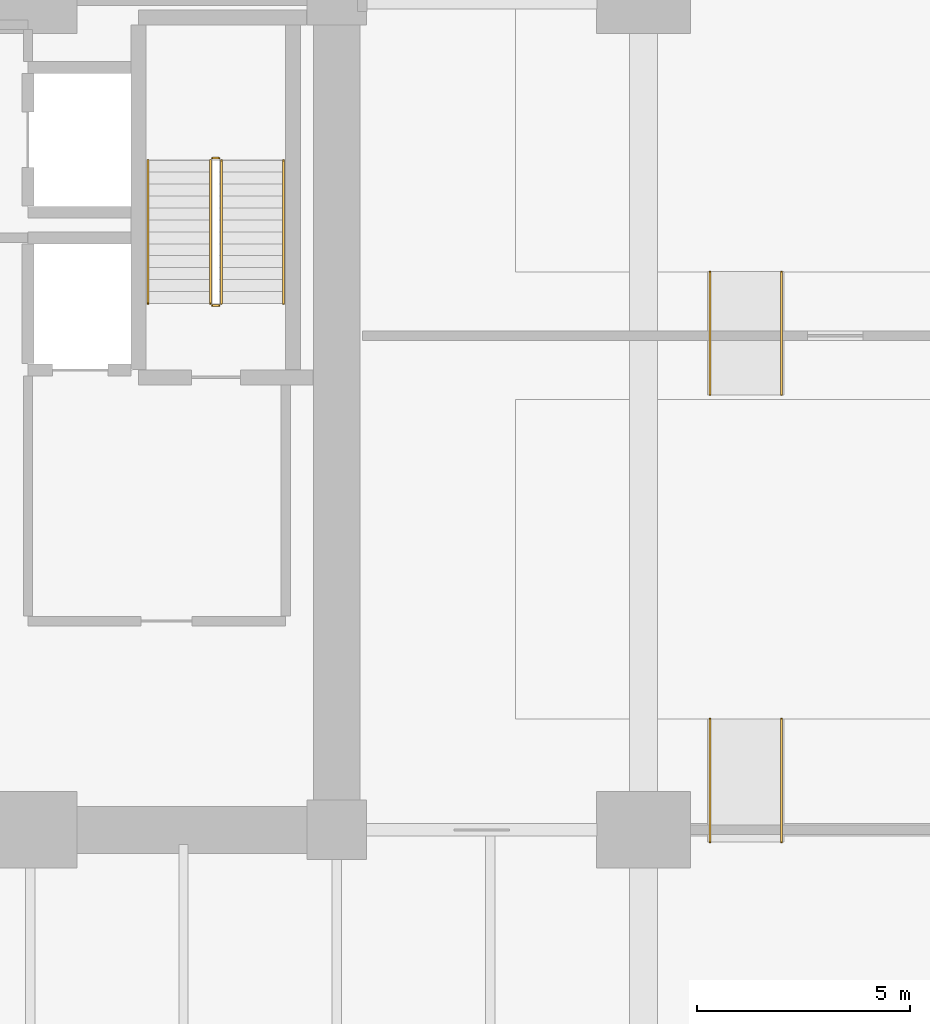
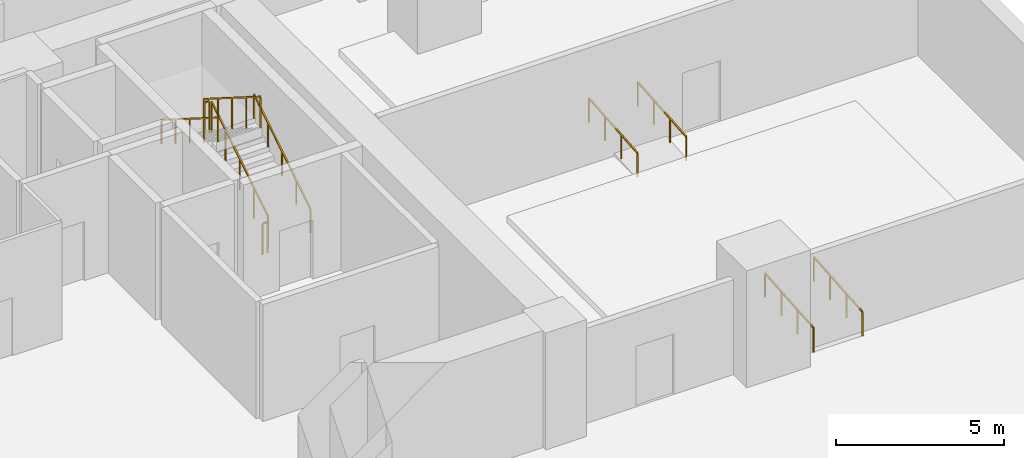
# One storey, part 9 of 9: 10 railings.
"""IFC4 building model written with IfcOpenShell, lengths in metres."""

from ifc_helpers import new_model, si_unit, direction, frame, origin, origin_2d, place, context, subcontext, project, spatial, rectangle, extrude, material, type_object, element, save


model = new_model("IFC4")

# Units and contexts
model_context = context("Model", 3, precision=1e-05, world=origin(), true_north=direction((0.0, 1.0)))
body_context = subcontext(model_context, "Body", "Model", "MODEL_VIEW")
ifc_project = project(units=[si_unit("LENGTHUNIT", "METRE"), si_unit("AREAUNIT", "SQUARE_METRE"), si_unit("VOLUMEUNIT", "CUBIC_METRE"), si_unit("PLANEANGLEUNIT", "RADIAN"), si_unit("MASSUNIT", "GRAM", prefix="KILO")], contexts=[model_context])

# Site, building, storey
site_placement = place(None, origin())
site = spatial("IfcSite", under=ifc_project, at=site_placement, CompositionType="ELEMENT")
building_placement = place(site_placement, origin())
building = spatial("IfcBuilding", under=site, at=building_placement, Name="Kaelvorn Grand Hotel", CompositionType="ELEMENT")
storey_placement = place(building_placement, frame((0.0, 0.0, -4.60009765625)))
storey = spatial("IfcBuildingStorey", under=building, at=storey_placement, Name="B01", CompositionType="ELEMENT", Elevation=-4.60009765625)

# Railings
ifc_material = material(Name="Stainless Steel", Category="steel")
railing_type_1 = type_object("IfcRailingType", Name="RL-HANDRAIL-900", PredefinedType="HANDRAIL", material=ifc_material)
railing_1_placement = place(storey_placement, frame((66.550048828125, 41.760009765625, 0.177001953125)))
element("IfcRailing", 1, at=railing_1_placement, inside=storey, type_object=railing_type_1, Name="B01 ST3 stair handrail 1", PredefinedType="HANDRAIL", context=body_context, shape_type="SweptSolid", body=[
    extrude(rectangle(XDim=0.048095703125, YDim=0.048095703125, at=origin_2d()), frame((0.0, 0.0, 0.8759765625), z_axis=(0.0, 0.845389635667, 0.534150132366), x_axis=(-1.0, 0.0, 0.0)), (0.0, 0.0, 1.0), 3.974609375),
    extrude(rectangle(XDim=0.0419921875, YDim=0.0419921875, at=origin_2d()), origin(), (0.0, 0.0, 1.0), 0.851806640625),
    extrude(rectangle(XDim=0.0419921875, YDim=0.0419921875, at=origin_2d()), frame((0.0, 0.840087890625, 0.53076171875)), (0.0, 0.0, 1.0), 0.851806640625),
    extrude(rectangle(XDim=0.0419921875, YDim=0.0419921875, at=origin_2d()), frame((0.0, 1.68017578125, 1.0615234375)), (0.0, 0.0, 1.0), 0.851806640625),
    extrude(rectangle(XDim=0.0419921875, YDim=0.0419921875, at=origin_2d()), frame((0.0, 2.52001953125, 1.59228515625)), (0.0, 0.0, 1.0), 0.851806640625),
    extrude(rectangle(XDim=0.0419921875, YDim=0.0419921875, at=origin_2d()), frame((0.0, 3.360107421875, 2.123046875)), (0.0, 0.0, 1.0), 0.851806640625),
])
railing_2_placement = place(storey_placement, frame((63.3701171875, 45.1201171875, 2.47705078125)))
element("IfcRailing", 2, at=railing_2_placement, inside=storey, type_object=railing_type_1, Name="B01 ST3 stair handrail 2", PredefinedType="HANDRAIL", context=body_context, shape_type="SweptSolid", body=[
    extrude(rectangle(XDim=0.048095703125, YDim=0.048095703125, at=origin_2d()), frame((0.0, 0.0, 0.8759765625), z_axis=(0.0, -0.845389635667, 0.534150132366), x_axis=(1.0, 0.0, 0.0)), (0.0, 0.0, 1.0), 3.974609375),
    extrude(rectangle(XDim=0.0419921875, YDim=0.0419921875, at=origin_2d()), origin(), (0.0, 0.0, 1.0), 0.851806640625),
    extrude(rectangle(XDim=0.0419921875, YDim=0.0419921875, at=origin_2d()), frame((0.0, -0.840087890625, 0.53076171875)), (0.0, 0.0, 1.0), 0.851806640625),
    extrude(rectangle(XDim=0.0419921875, YDim=0.0419921875, at=origin_2d()), frame((0.0, -1.68017578125, 1.0615234375)), (0.0, 0.0, 1.0), 0.851806640625),
    extrude(rectangle(XDim=0.0419921875, YDim=0.0419921875, at=origin_2d()), frame((0.0, -2.52001953125, 1.59228515625)), (0.0, 0.0, 1.0), 0.851806640625),
    extrude(rectangle(XDim=0.0419921875, YDim=0.0419921875, at=origin_2d()), frame((0.0, -3.360107421875, 2.123046875)), (0.0, 0.0, 1.0), 0.851806640625),
])
for number, where, name in (
    (3, (76.56005859375, 29.114990234375, 0.0), "B01 Accessible Ramp AR3 Handrail 1"),
    (4, (78.239990234375, 29.114990234375, 0.0), "B01 Accessible Ramp AR3 Handrail 2"),
    (5, (76.56005859375, 39.614990234375, 0.0), "B01 Accessible Ramp AR4 Handrail 1"),
    (6, (78.239990234375, 39.614990234375, 0.0), "B01 Accessible Ramp AR4 Handrail 2"),
):
    element("IfcRailing", number, at=place(storey_placement, frame(where)), inside=storey, type_object=railing_type_1, Name=name, PredefinedType="HANDRAIL", context=body_context, shape_type="SweptSolid", body=[
        extrude(rectangle(XDim=0.048095703125, YDim=0.048095703125, at=origin_2d()), frame((0.0, 0.0, 0.8759765625), z_axis=(0.0, 0.996569523047, 0.082759807481), x_axis=(-1.0, 0.0, 0.0)), (0.0, 0.0, 1.0), 2.89990234375),
        extrude(rectangle(XDim=0.0419921875, YDim=0.0419921875, at=origin_2d()), origin(), (0.0, 0.0, 1.0), 0.851806640625),
        extrude(rectangle(XDim=0.0419921875, YDim=0.0419921875, at=origin_2d()), frame((0.0, 0.96337890625, 0.080078125)), (0.0, 0.0, 1.0), 0.851806640625),
        extrude(rectangle(XDim=0.0419921875, YDim=0.0419921875, at=origin_2d()), frame((0.0, 1.926513671875, 0.159912109375)), (0.0, 0.0, 1.0), 0.851806640625),
        extrude(rectangle(XDim=0.0419921875, YDim=0.0419921875, at=origin_2d()), frame((0.0, 2.889892578125, 0.239990234375)), (0.0, 0.0, 1.0), 0.851806640625),
    ])
railing_type_2 = type_object("IfcRailingType", Name="RL-STAIR-GUARD-1150", PredefinedType="BALUSTRADE", material=ifc_material)
railing_3_placement = place(storey_placement, frame((65.090087890625, 41.760009765625, 0.177001953125)))
element("IfcRailing", 7, at=railing_3_placement, inside=storey, type_object=railing_type_2, Name="B01 ST3 stair guard 1", PredefinedType="BALUSTRADE", context=body_context, shape_type="SweptSolid", body=[
    extrude(rectangle(XDim=0.048095703125, YDim=0.048095703125, at=origin_2d()), frame((0.0, 0.0, 1.1259765625), z_axis=(0.0, 0.845389635667, 0.534150132366), x_axis=(-1.0, 0.0, 0.0)), (0.0, 0.0, 1.0), 3.974609375),
    extrude(rectangle(XDim=0.0419921875, YDim=0.0419921875, at=origin_2d()), origin(), (0.0, 0.0, 1.0), 1.101806640625),
    extrude(rectangle(XDim=0.0419921875, YDim=0.0419921875, at=origin_2d()), frame((0.0, 0.840087890625, 0.53076171875)), (0.0, 0.0, 1.0), 1.101806640625),
    extrude(rectangle(XDim=0.0419921875, YDim=0.0419921875, at=origin_2d()), frame((0.0, 1.68017578125, 1.0615234375)), (0.0, 0.0, 1.0), 1.101806640625),
    extrude(rectangle(XDim=0.0419921875, YDim=0.0419921875, at=origin_2d()), frame((0.0, 2.52001953125, 1.59228515625)), (0.0, 0.0, 1.0), 1.101806640625),
    extrude(rectangle(XDim=0.0419921875, YDim=0.0419921875, at=origin_2d()), frame((0.0, 3.360107421875, 2.123046875)), (0.0, 0.0, 1.0), 1.101806640625),
])
railing_4_placement = place(storey_placement, frame((65.0400390625, 45.169921875, 2.300048828125)))
element("IfcRailing", 8, at=railing_4_placement, inside=storey, type_object=railing_type_2, Name="B01 ST3 stair guard 2", PredefinedType="BALUSTRADE", context=body_context, shape_type="SweptSolid", body=[
    extrude(rectangle(XDim=0.048095703125, YDim=0.048095703125, at=origin_2d()), frame((0.0, 0.0, 1.1259765625), z_axis=(-1.0, 0.0, 0.0), x_axis=(0.0, -1.0, 0.0)), (0.0, 0.0, 1.0), 0.16015625),
    extrude(rectangle(XDim=0.0419921875, YDim=0.0419921875, at=origin_2d()), origin(), (0.0, 0.0, 1.0), 1.101806640625),
    extrude(rectangle(XDim=0.0419921875, YDim=0.0419921875, at=origin_2d()), frame((-0.16015625, 0.0, 0.0)), (0.0, 0.0, 1.0), 1.101806640625),
])
railing_5_placement = place(storey_placement, frame((64.830078125, 45.1201171875, 2.47705078125)))
element("IfcRailing", 9, at=railing_5_placement, inside=storey, type_object=railing_type_2, Name="B01 ST3 stair guard 3", PredefinedType="BALUSTRADE", context=body_context, shape_type="SweptSolid", body=[
    extrude(rectangle(XDim=0.048095703125, YDim=0.048095703125, at=origin_2d()), frame((0.0, 0.0, 1.1259765625), z_axis=(0.0, -0.845389635667, 0.534150132366), x_axis=(1.0, 0.0, 0.0)), (0.0, 0.0, 1.0), 3.974609375),
    extrude(rectangle(XDim=0.0419921875, YDim=0.0419921875, at=origin_2d()), origin(), (0.0, 0.0, 1.0), 1.101806640625),
    extrude(rectangle(XDim=0.0419921875, YDim=0.0419921875, at=origin_2d()), frame((0.0, -0.840087890625, 0.53076171875)), (0.0, 0.0, 1.0), 1.101806640625),
    extrude(rectangle(XDim=0.0419921875, YDim=0.0419921875, at=origin_2d()), frame((0.0, -1.68017578125, 1.0615234375)), (0.0, 0.0, 1.0), 1.101806640625),
    extrude(rectangle(XDim=0.0419921875, YDim=0.0419921875, at=origin_2d()), frame((0.0, -2.52001953125, 1.59228515625)), (0.0, 0.0, 1.0), 1.101806640625),
    extrude(rectangle(XDim=0.0419921875, YDim=0.0419921875, at=origin_2d()), frame((0.0, -3.360107421875, 2.123046875)), (0.0, 0.0, 1.0), 1.101806640625),
])
railing_6_placement = place(storey_placement, frame((65.0400390625, 41.7099609375, 0.0)))
element("IfcRailing", 10, at=railing_6_placement, inside=storey, type_object=railing_type_2, Name="B01 ST3 stair guard 4", PredefinedType="BALUSTRADE", context=body_context, shape_type="SweptSolid", body=[
    extrude(rectangle(XDim=0.048095703125, YDim=0.048095703125, at=origin_2d()), frame((0.0, 0.0, 1.1259765625), z_axis=(-1.0, 0.0, 0.0), x_axis=(0.0, -1.0, 0.0)), (0.0, 0.0, 1.0), 0.16015625),
    extrude(rectangle(XDim=0.0419921875, YDim=0.0419921875, at=origin_2d()), origin(), (0.0, 0.0, 1.0), 1.101806640625),
    extrude(rectangle(XDim=0.0419921875, YDim=0.0419921875, at=origin_2d()), frame((-0.16015625, 0.0, 0.0)), (0.0, 0.0, 1.0), 1.101806640625),
])

save(model, "model.ifc")
